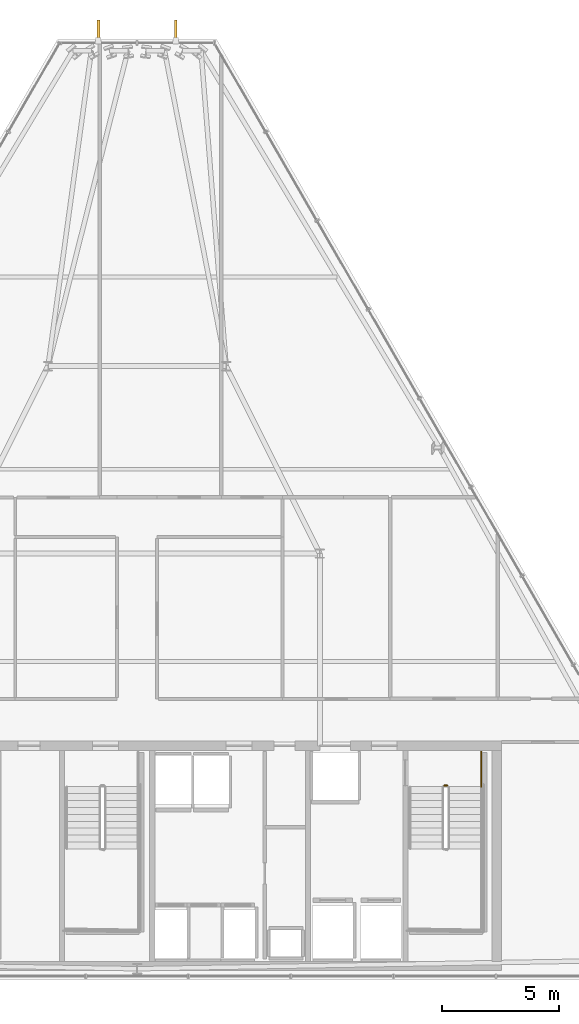
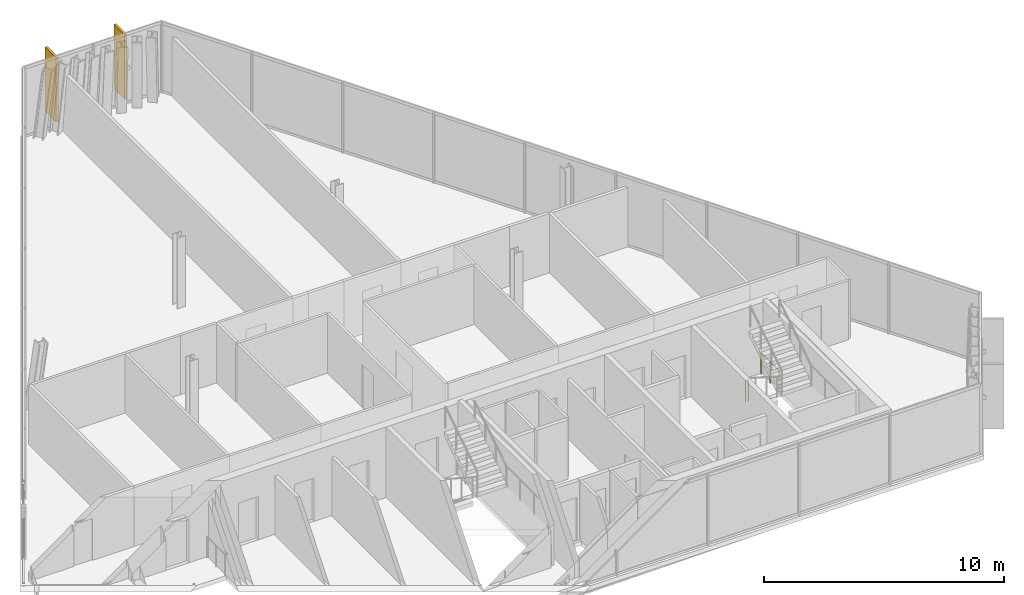
# One storey, part 29 of 29: 2 railings, 2 shading devices.
"""IFC4 building model written with IfcOpenShell, lengths in metres."""

from ifc_helpers import new_model, si_unit, direction, frame, origin, origin_2d, place, context, subcontext, project, spatial, rectangle, circle, extrude, material, layer, layer_set, type_object, element, save


model = new_model("IFC4")

# Units and contexts
model_context = context("Model", 3, precision=1e-05, world=origin(), true_north=direction((0.0, 1.0)))
body_context = subcontext(model_context, "Body", "Model", "MODEL_VIEW")
ifc_project = project(units=[si_unit("LENGTHUNIT", "METRE"), si_unit("AREAUNIT", "SQUARE_METRE"), si_unit("VOLUMEUNIT", "CUBIC_METRE"), si_unit("PLANEANGLEUNIT", "RADIAN"), si_unit("MASSUNIT", "GRAM", prefix="KILO")], contexts=[model_context])

# Site, building, storey
site_placement = place(None, origin())
site = spatial("IfcSite", under=ifc_project, at=site_placement, CompositionType="ELEMENT")
building_placement = place(site_placement, origin())
building = spatial("IfcBuilding", under=site, at=building_placement, Name="Ndaravel Arena Tower", CompositionType="ELEMENT")
storey_placement = place(building_placement, frame((0.0, 0.0, 248.39990234375)))
storey = spatial("IfcBuildingStorey", under=building, at=storey_placement, Name="L60", CompositionType="ELEMENT", Elevation=248.39990234375)

# Railings
ifc_material_1 = material(Name="Steel S355", Category="steel")
ifc_layer = layer(ifc_material_1, 0.06005859375)
ifc_layer_set = layer_set([ifc_layer], Name="Steel S355")
railing_type = type_object("IfcRailingType", Name="RAIL-STAIR-GD1100", PredefinedType="GUARDRAIL", material=ifc_layer_set)
railing_1_placement = place(storey_placement, frame((55.10009765625, 13.300048828125, 0.0)))
element("IfcRailing", 1, at=railing_1_placement, inside=storey, type_object=railing_type, Name="L60 ST-3 stair guard 4", PredefinedType="GUARDRAIL", context=body_context, shape_type="SweptSolid", body=[
    extrude(circle(Radius=0.02392578125, at=origin_2d()), frame((0.0, 0.0, 1.076171875), z_axis=(1.0, 0.0, 0.0), x_axis=(0.0, 1.0, 0.0)), (0.0, 0.0, 1.0), 0.139892578125),
    extrude(circle(Radius=0.02099609375, at=origin_2d()), origin(), (0.0, 0.0, 1.0), 1.052001953125),
    extrude(circle(Radius=0.02099609375, at=origin_2d()), frame((0.139892578125, 0.0, 0.0)), (0.0, 0.0, 1.0), 1.052001953125),
])
railing_2_placement = place(storey_placement, frame((56.68994140625, 14.75, 0.0)))
element("IfcRailing", 2, at=railing_2_placement, inside=storey, type_object=railing_type, Name="L60 ST-3 stair guard 5", PredefinedType="GUARDRAIL", context=body_context, shape_type="SweptSolid", body=[
    extrude(circle(Radius=0.02392578125, at=origin_2d()), frame((0.0, 0.0, 1.076171875), z_axis=(0.0, -1.0, 0.0), x_axis=(1.0, 0.0, 0.0)), (0.0, 0.0, 1.0), 1.5),
    extrude(circle(Radius=0.02099609375, at=origin_2d()), origin(), (0.0, 0.0, 1.0), 1.052001953125),
    extrude(circle(Radius=0.02099609375, at=origin_2d()), frame((0.0, -0.75, 0.0)), (0.0, 0.0, 1.0), 1.052001953125),
    extrude(circle(Radius=0.02099609375, at=origin_2d()), frame((0.0, -1.5, 0.0)), (0.0, 0.0, 1.0), 1.052001953125),
])

# Shading devices
ifc_material_2 = material(Name="Masonry", Category="masonry")
shading_device_type = type_object("IfcShadingDeviceType", Name="SHD-MAZERAS-FIN", PredefinedType="SHUTTER", material=ifc_material_2)
for number, where, z_axis, x_axis, name in (
    (3, (43.65185546875, 45.523681640625, 0.14990234375), (0.0, 0.0, 1.0), (0.0, 1.0, 0.0), "L60 Mazeras Stone Solar Fin E4.1"),
    (4, (40.34814453125, 45.523681640625, 0.14990234375), (0.0, 0.0, 1.0), (0.0, 1.0, 0.0), "L60 Mazeras Stone Solar Fin E4.2"),
):
    element("IfcShadingDevice", number, at=place(storey_placement, frame(where, z_axis=z_axis, x_axis=x_axis)), inside=storey, type_object=shading_device_type, Name=name, PredefinedType="SHUTTER", context=body_context, shape_type="SweptSolid", body=[
        extrude(rectangle(XDim=0.89990234375, YDim=0.1201171875, at=origin_2d()), origin(), (0.0, 0.0, 1.0), 3.280029296875),
    ])

save(model, "model.ifc")
